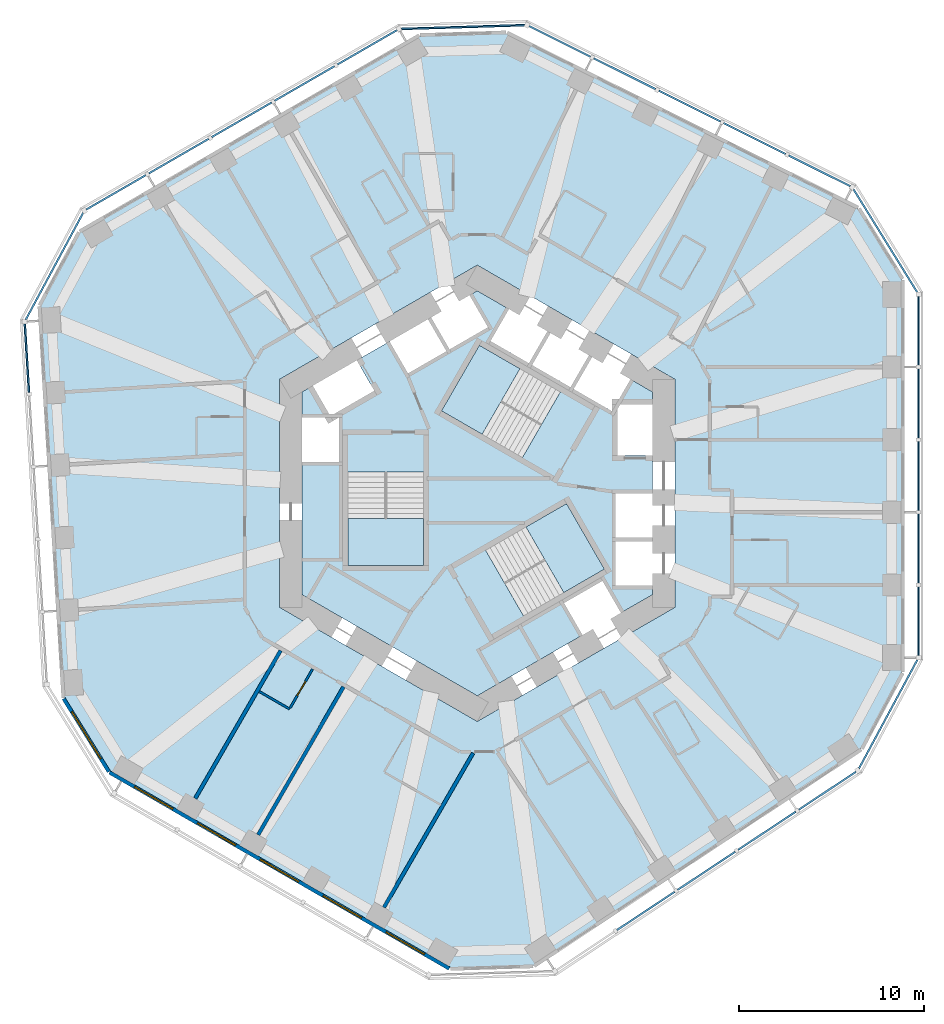
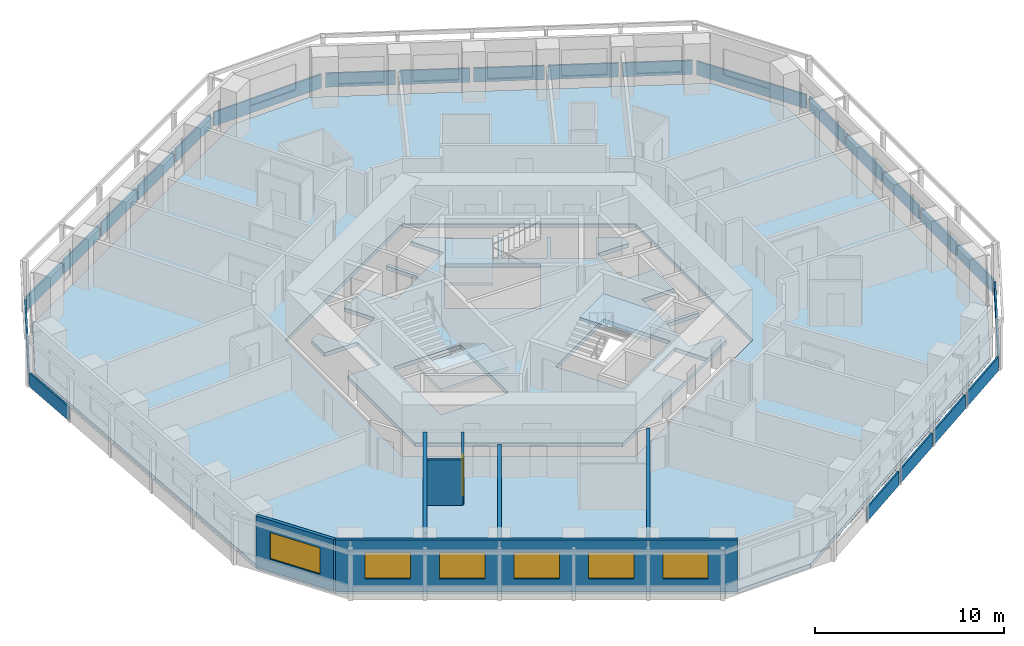
# One storey, part 3 of 12: 24 plates, 7 walls, 6 windows, 5 slabs, 1 door, 7 openings, 12 elements without a shape of their own.
"""IFC4 building model written with IfcOpenShell, lengths in metres."""

from ifc_helpers import new_model, si_unit, direction, frame, frame_2d, origin, origin_2d, place, context, subcontext, project, spatial, polyline, rectangle, outline, extrude, material, layer, layer_set, type_object, element, fill, aggregate, save


model = new_model("IFC4")

# Units and contexts
model_context = context("Model", 3, precision=1e-05, world=origin(), true_north=direction((0.0, 1.0)))
body_context = subcontext(model_context, "Body", "Model", "MODEL_VIEW")
ifc_project = project(units=[si_unit("LENGTHUNIT", "METRE"), si_unit("AREAUNIT", "SQUARE_METRE"), si_unit("VOLUMEUNIT", "CUBIC_METRE"), si_unit("PLANEANGLEUNIT", "RADIAN"), si_unit("MASSUNIT", "GRAM", prefix="KILO")], contexts=[model_context])

# Site, building, storey
site_placement = place(None, origin())
site = spatial("IfcSite", under=ifc_project, at=site_placement, CompositionType="ELEMENT")
building_placement = place(site_placement, origin())
building = spatial("IfcBuilding", under=site, at=building_placement, Name="Vanh Sen Convention Tower", CompositionType="ELEMENT")
storey_placement = place(building_placement, frame((0.0, 0.0, 73.699951171875)))
storey = spatial("IfcBuildingStorey", under=building, at=storey_placement, Name="L16", CompositionType="ELEMENT", Elevation=73.699951171875)

# Slabs
ifc_material_1 = material(Name="Concrete C40/50", Category="concrete")
ifc_layer_1 = layer(ifc_material_1, 0.25)
ifc_layer_set_1 = layer_set([ifc_layer_1], Name="Concrete C40/50")
slab_type_1 = type_object("IfcSlabType", Name="Core slab 250", PredefinedType="FLOOR", material=ifc_layer_set_1)
slab_1_placement = place(storey_placement, frame((0.0, 0.0, -0.25)))
element("IfcSlab", 1, at=slab_1_placement, inside=storey, type_object=slab_type_1, Name="Core slab L16", PredefinedType="FLOOR", context=body_context, shape_type="SweptSolid", body=[
    extrude(outline(polyline([(9.5, 5.48486328125), (9.5, 4.800048828125), (7.60009765625, 4.800048828125), (7.60009765625, 2.050048828125), (9.5, 2.050048828125), (9.5, 0.0), (7.5, 0.0), (7.5, -2.39990234375), (9.5, -2.39990234375), (9.5, -2.60009765625), (7.5, -2.60009765625), (7.5, -5.0), (9.5, -5.0), (9.5, -5.48486328125), (0.0, -10.9697265625), (-9.5, -5.48486328125), (-9.5, 1.699951171875), (-7.5, 1.699951171875), (-7.5, 4.10009765625), (-9.5, 4.10009765625), (-9.5, 5.48486328125), (-8.906982421875, 5.8271484375), (-7.956787109375, 4.181884765625), (-5.575439453125, 5.556884765625), (-6.525390625, 7.2021484375), (-4.75, 8.227294921875), (-3.75, 6.4951171875), (-1.67138671875, 7.6953125), (-2.67138671875, 9.42724609375), (-2.498291015625, 9.527099609375), (-1.498291015625, 7.795166015625), (0.580078125, 8.9951171875), (-0.419921875, 10.727294921875), (0.0, 10.9697265625), (1.718994140625, 9.977294921875), (0.718994140625, 8.2451171875), (2.79736328125, 7.045166015625), (3.79736328125, 8.777099609375), (3.970703125, 8.67724609375), (2.970703125, 6.9453125), (5.049072265625, 5.7451171875), (6.049072265625, 7.477294921875), (6.22216796875, 7.377197265625), (5.22216796875, 5.645263671875), (7.30078125, 4.4453125), (8.30078125, 6.17724609375), (9.5, 5.48486328125)]), holes=[polyline([(-7.0, 3.14990234375), (-7.0, -3.909912109375), (-2.89990234375, -3.909912109375), (-2.89990234375, 3.14990234375), (-2.89990234375, 1.1494140625), (-7.0, 1.1494140625), (-7.0, 3.14990234375)]), polyline([(4.495361328125, 5.487548828125), (6.22802734375, 4.4873046875), (0.11376953125, 8.01708984375), (-1.936279296875, 4.466552734375), (2.4453125, 1.936767578125), (4.495361328125, 5.487548828125)]), polyline([(7.781005859375, -6.477294921875), (6.781005859375, -4.7451171875), (4.70263671875, -5.9453125), (5.70263671875, -7.67724609375), (7.781005859375, -6.477294921875)]), polyline([(0.45458984375, -3.086181640625), (2.504638671875, -6.63671875), (6.88623046875, -4.107177734375), (4.836181640625, -0.556396484375), (-1.278076171875, -4.08642578125), (0.45458984375, -3.086181640625)])]), origin(), (0.0, 0.0, 1.0), 0.25),
])
ifc_layer_2 = layer(ifc_material_1, 0.25)
ifc_layer_set_2 = layer_set([ifc_layer_2], Name="Concrete C40/50")
slab_type_2 = type_object("IfcSlabType", Name="Floor slab 250 REI 120", PredefinedType="FLOOR", material=ifc_layer_set_2)
slab_2_placement = place(storey_placement, frame((0.0, 0.0, -0.25)))
element("IfcSlab", 2, at=slab_2_placement, inside=storey, type_object=slab_type_2, Name="Floor slab L16 tower", PredefinedType="FLOOR", context=body_context, shape_type="SweptSolid", body=[
    extrude(outline(polyline([(23.0, -9.69921875), (23.0, 11.57373046875), (20.620361328125, 15.419189453125), (1.58251953125, 24.911376953125), (-3.10009765625, 24.768310546875), (-21.523193359375, 14.131591796875), (-23.663818359375, 10.14794921875), (-22.364990234375, -11.085205078125), (-19.89990234375, -15.069091796875), (-1.476806640625, -25.705322265625), (3.04345703125, -25.5673828125), (20.78271484375, -13.825927734375), (23.0, -9.69921875)]), holes=[polyline([(0.0, 12.355224609375), (-10.699951171875, 6.177490234375), (-10.699951171875, -6.177490234375), (0.0, -12.355224609375), (10.699951171875, -6.177490234375), (10.699951171875, 6.177490234375), (0.0, 12.355224609375)])]), origin(), (0.0, 0.0, 1.0), 0.25),
])

# Curtain wall, plates
ifc_material_2 = material(Name="Concrete C50/60", Category="concrete")
curtain_wall_type = type_object("IfcCurtainWallType", Name="Outer skin hotel zone", PredefinedType="NOTDEFINED", material=ifc_material_2)
curtain_wall_1_placement = place(storey_placement, origin())
curtain_wall_1 = element("IfcCurtainWall", 3, at=curtain_wall_1_placement, inside=storey, type_object=curtain_wall_type, Name="OUTER SKIN E L16", PredefinedType="NOTDEFINED")
ifc_layer_3 = layer(ifc_material_2, 0.10009765625)
ifc_layer_set_3 = layer_set([ifc_layer_3], Name="Concrete C50/60")
plate_type = type_object("IfcPlateType", Name="Outer skin precast screen panel 100", PredefinedType="CURTAIN_PANEL", material=ifc_layer_set_3)
plate_1_placement = place(storey_placement, frame((23.89990234375, -6.91943359375, 0.0), z_axis=(0.0, 0.0, 1.0), x_axis=(0.0, 1.0, 0.0)))
plate_1 = element("IfcPlate", 4, at=plate_1_placement, type_object=plate_type, Name="OUTER SKIN screen panel E-1", PredefinedType="CURTAIN_PANEL", context=body_context, shape_type="SweptSolid", body=[
    extrude(rectangle(XDim=3.709716796875, YDim=0.10009765625, at=origin_2d()), origin(), (0.0, 0.0, 1.0), 0.89990234375),
])
plate_2_placement = place(storey_placement, frame((23.89990234375, -2.997314453125, 0.0), z_axis=(0.0, 0.0, 1.0), x_axis=(0.0, 1.0, 0.0)))
plate_2 = element("IfcPlate", 5, at=plate_2_placement, type_object=plate_type, Name="OUTER SKIN screen panel E-2", PredefinedType="CURTAIN_PANEL", context=body_context, shape_type="SweptSolid", body=[
    extrude(rectangle(XDim=3.734619140625, YDim=0.10009765625, at=origin_2d()), origin(), (0.0, 0.0, 1.0), 0.89990234375),
])
plate_3_placement = place(storey_placement, frame((23.89990234375, 0.937255859375, 0.0), z_axis=(0.0, 0.0, 1.0), x_axis=(0.0, 1.0, 0.0)))
plate_3 = element("IfcPlate", 6, at=plate_3_placement, type_object=plate_type, Name="OUTER SKIN screen panel E-3", PredefinedType="CURTAIN_PANEL", context=body_context, shape_type="SweptSolid", body=[
    extrude(rectangle(XDim=3.734619140625, YDim=0.10009765625, at=origin_2d()), origin(), (0.0, 0.0, 1.0), 0.89990234375),
])
plate_4_placement = place(storey_placement, frame((23.89990234375, 4.871826171875, 0.0), z_axis=(0.0, 0.0, 1.0), x_axis=(0.0, 1.0, 0.0)))
plate_4 = element("IfcPlate", 7, at=plate_4_placement, type_object=plate_type, Name="OUTER SKIN screen panel E-4", PredefinedType="CURTAIN_PANEL", context=body_context, shape_type="SweptSolid", body=[
    extrude(rectangle(XDim=3.734619140625, YDim=0.10009765625, at=origin_2d()), origin(), (0.0, 0.0, 1.0), 0.89990234375),
])
plate_5_placement = place(storey_placement, frame((23.89990234375, 8.7939453125, 0.0), z_axis=(0.0, 0.0, 1.0), x_axis=(0.0, 1.0, 0.0)))
plate_5 = element("IfcPlate", 8, at=plate_5_placement, type_object=plate_type, Name="OUTER SKIN screen panel E-5", PredefinedType="CURTAIN_PANEL", context=body_context, shape_type="SweptSolid", body=[
    extrude(rectangle(XDim=3.709716796875, YDim=0.10009765625, at=origin_2d()), origin(), (0.0, 0.0, 1.0), 0.89990234375),
])
aggregate(curtain_wall_1, [plate_1, plate_2, plate_3, plate_4, plate_5])

# Curtain wall, plate
curtain_wall_2_placement = place(storey_placement, origin())
curtain_wall_2 = element("IfcCurtainWall", 9, at=curtain_wall_2_placement, inside=storey, type_object=curtain_wall_type, Name="OUTER SKIN CH1 L16", PredefinedType="NOTDEFINED")
plate_6_placement = place(storey_placement, frame((22.102783203125, 13.677734375, 0.0), z_axis=(0.0, 0.0, 1.0), x_axis=(-0.526212439506, 0.850353143411, 0.0)))
plate_6 = element("IfcPlate", 10, at=plate_6_placement, type_object=plate_type, Name="OUTER SKIN screen panel CH1-1", PredefinedType="CURTAIN_PANEL", context=body_context, shape_type="SweptSolid", body=[
    extrude(rectangle(XDim=6.580078125, YDim=0.10009765625, at=origin_2d()), origin(), (0.0, 0.0, 1.0), 0.89990234375),
])
aggregate(curtain_wall_2, [plate_6])

# Curtain wall, plates
curtain_wall_3_placement = place(storey_placement, origin())
curtain_wall_3 = element("IfcCurtainWall", 11, at=curtain_wall_3_placement, inside=storey, type_object=curtain_wall_type, Name="OUTER SKIN NE L16", PredefinedType="NOTDEFINED")
plate_7_placement = place(storey_placement, frame((18.5341796875, 17.465087890625, 0.0), z_axis=(0.0, 0.0, 1.0), x_axis=(-0.894935140363, 0.446196251154, 0.0)))
plate_7 = element("IfcPlate", 12, at=plate_7_placement, type_object=plate_type, Name="OUTER SKIN screen panel NE-1", PredefinedType="CURTAIN_PANEL", context=body_context, shape_type="SweptSolid", body=[
    extrude(rectangle(XDim=3.709716796875, YDim=0.10009765625, at=origin_2d()), origin(), (0.0, 0.0, 1.0), 0.89990234375),
])
plate_8_placement = place(storey_placement, frame((15.024169921875, 19.215087890625, 0.0), z_axis=(0.0, 0.0, 1.0), x_axis=(-0.894935140363, 0.446196251154, 0.0)))
plate_8 = element("IfcPlate", 13, at=plate_8_placement, type_object=plate_type, Name="OUTER SKIN screen panel NE-2", PredefinedType="CURTAIN_PANEL", context=body_context, shape_type="SweptSolid", body=[
    extrude(rectangle(XDim=3.734619140625, YDim=0.10009765625, at=origin_2d()), origin(), (0.0, 0.0, 1.0), 0.89990234375),
])
plate_9_placement = place(storey_placement, frame((11.5029296875, 20.970703125, 0.0), z_axis=(0.0, 0.0, 1.0), x_axis=(-0.894935140363, 0.446196251154, 0.0)))
plate_9 = element("IfcPlate", 14, at=plate_9_placement, type_object=plate_type, Name="OUTER SKIN screen panel NE-3", PredefinedType="CURTAIN_PANEL", context=body_context, shape_type="SweptSolid", body=[
    extrude(rectangle(XDim=3.734619140625, YDim=0.10009765625, at=origin_2d()), origin(), (0.0, 0.0, 1.0), 0.89990234375),
])
plate_10_placement = place(storey_placement, frame((7.981689453125, 22.726318359375, 0.0), z_axis=(0.0, 0.0, 1.0), x_axis=(-0.894935140363, 0.446196251154, 0.0)))
plate_10 = element("IfcPlate", 15, at=plate_10_placement, type_object=plate_type, Name="OUTER SKIN screen panel NE-4", PredefinedType="CURTAIN_PANEL", context=body_context, shape_type="SweptSolid", body=[
    extrude(rectangle(XDim=3.734619140625, YDim=0.10009765625, at=origin_2d()), origin(), (0.0, 0.0, 1.0), 0.89990234375),
])
plate_11_placement = place(storey_placement, frame((4.4716796875, 24.476318359375, 0.0), z_axis=(0.0, 0.0, 1.0), x_axis=(-0.894935140363, 0.446196251154, 0.0)))
plate_11 = element("IfcPlate", 16, at=plate_11_placement, type_object=plate_type, Name="OUTER SKIN screen panel NE-5", PredefinedType="CURTAIN_PANEL", context=body_context, shape_type="SweptSolid", body=[
    extrude(rectangle(XDim=3.709716796875, YDim=0.10009765625, at=origin_2d()), origin(), (0.0, 0.0, 1.0), 0.89990234375),
])
aggregate(curtain_wall_3, [plate_7, plate_8, plate_9, plate_10, plate_11])

# Curtain wall, plate
curtain_wall_4_placement = place(storey_placement, origin())
curtain_wall_4 = element("IfcCurtainWall", 17, at=curtain_wall_4_placement, inside=storey, type_object=curtain_wall_type, Name="OUTER SKIN CH2 L16", PredefinedType="NOTDEFINED")
plate_12_placement = place(storey_placement, frame((-0.771484375, 25.253662109375, 0.0), z_axis=(0.0, 0.0, 1.0), x_axis=(-0.999533644135, -0.030536768695, 0.0)))
plate_12 = element("IfcPlate", 18, at=plate_12_placement, type_object=plate_type, Name="OUTER SKIN screen panel CH2-1", PredefinedType="CURTAIN_PANEL", context=body_context, shape_type="SweptSolid", body=[
    extrude(rectangle(XDim=6.696044921875, YDim=0.10009765625, at=origin_2d()), origin(), (0.0, 0.0, 1.0), 0.89990234375),
])
aggregate(curtain_wall_4, [plate_12])

# Curtain wall, plates
curtain_wall_5_placement = place(storey_placement, origin())
curtain_wall_5 = element("IfcCurtainWall", 19, at=curtain_wall_5_placement, inside=storey, type_object=curtain_wall_type, Name="OUTER SKIN NW L16", PredefinedType="NOTDEFINED")
plate_13_placement = place(storey_placement, frame((-5.95751953125, 24.15771484375, 0.0), z_axis=(0.0, 0.0, 1.0), x_axis=(-0.866028021766, -0.499995465495, 0.0)))
plate_13 = element("IfcPlate", 20, at=plate_13_placement, type_object=plate_type, Name="OUTER SKIN screen panel NW-1", PredefinedType="CURTAIN_PANEL", context=body_context, shape_type="SweptSolid", body=[
    extrude(rectangle(XDim=3.709716796875, YDim=0.10009765625, at=origin_2d()), origin(), (0.0, 0.0, 1.0), 0.89990234375),
])
plate_14_placement = place(storey_placement, frame((-9.354248046875, 22.19677734375, 0.0), z_axis=(0.0, 0.0, 1.0), x_axis=(-0.866021040428, -0.500007557478, 0.0)))
plate_14 = element("IfcPlate", 21, at=plate_14_placement, type_object=plate_type, Name="OUTER SKIN screen panel NW-2", PredefinedType="CURTAIN_PANEL", context=body_context, shape_type="SweptSolid", body=[
    extrude(rectangle(XDim=3.734619140625, YDim=0.10009765625, at=origin_2d()), origin(), (0.0, 0.0, 1.0), 0.89990234375),
])
plate_15_placement = place(storey_placement, frame((-12.76171875, 20.2294921875, 0.0), z_axis=(0.0, 0.0, 1.0), x_axis=(-0.866028021766, -0.499995465495, 0.0)))
plate_15 = element("IfcPlate", 22, at=plate_15_placement, type_object=plate_type, Name="OUTER SKIN screen panel NW-3", PredefinedType="CURTAIN_PANEL", context=body_context, shape_type="SweptSolid", body=[
    extrude(rectangle(XDim=3.734619140625, YDim=0.10009765625, at=origin_2d()), origin(), (0.0, 0.0, 1.0), 0.89990234375),
])
plate_16_placement = place(storey_placement, frame((-16.169189453125, 18.26220703125, 0.0), z_axis=(0.0, 0.0, 1.0), x_axis=(-0.866028021766, -0.499995465495, 0.0)))
plate_16 = element("IfcPlate", 23, at=plate_16_placement, type_object=plate_type, Name="OUTER SKIN screen panel NW-4", PredefinedType="CURTAIN_PANEL", context=body_context, shape_type="SweptSolid", body=[
    extrude(rectangle(XDim=3.734619140625, YDim=0.10009765625, at=origin_2d()), origin(), (0.0, 0.0, 1.0), 0.89990234375),
])
plate_17_placement = place(storey_placement, frame((-19.56591796875, 16.301025390625, 0.0), z_axis=(0.0, 0.0, 1.0), x_axis=(-0.866021040428, -0.500007557478, 0.0)))
plate_17 = element("IfcPlate", 24, at=plate_17_placement, type_object=plate_type, Name="OUTER SKIN screen panel NW-5", PredefinedType="CURTAIN_PANEL", context=body_context, shape_type="SweptSolid", body=[
    extrude(rectangle(XDim=3.70947265625, YDim=0.10009765625, at=origin_2d()), origin(), (0.0, 0.0, 1.0), 0.89990234375),
])
aggregate(curtain_wall_5, [plate_13, plate_14, plate_15, plate_16, plate_17])

# Curtain wall, plate
curtain_wall_6_placement = place(storey_placement, origin())
curtain_wall_6 = element("IfcCurtainWall", 25, at=curtain_wall_6_placement, inside=storey, type_object=curtain_wall_type, Name="OUTER SKIN CH3 L16", PredefinedType="NOTDEFINED")
plate_18_placement = place(storey_placement, frame((-22.896728515625, 12.302978515625, 0.0), z_axis=(0.0, 0.0, 1.0), x_axis=(-0.47331812974, -0.880891564303, 0.0)))
plate_18 = element("IfcPlate", 26, at=plate_18_placement, type_object=plate_type, Name="OUTER SKIN screen panel CH3-1", PredefinedType="CURTAIN_PANEL", context=body_context, shape_type="SweptSolid", body=[
    extrude(rectangle(XDim=6.580078125, YDim=0.10009765625, at=origin_2d()), origin(), (0.0, 0.0, 1.0), 0.89990234375),
])
aggregate(curtain_wall_6, [plate_18])

curtain_wall_7_placement = place(storey_placement, origin())
curtain_wall_7 = element("IfcCurtainWall", 27, at=curtain_wall_7_placement, inside=storey, type_object=curtain_wall_type, Name="OUTER SKIN W L16", PredefinedType="NOTDEFINED")
plate_19_placement = place(storey_placement, frame((-24.39208984375, 7.318603515625, 0.0), z_axis=(0.0, 0.0, 1.0), x_axis=(0.061046797461, -0.99813490497, 0.0)))
plate_19 = element("IfcPlate", 28, at=plate_19_placement, type_object=plate_type, Name="OUTER SKIN screen panel W-1", PredefinedType="CURTAIN_PANEL", context=body_context, shape_type="SweptSolid", body=[
    extrude(rectangle(XDim=3.709716796875, YDim=0.10009765625, at=origin_2d()), origin(), (0.0, 0.0, 1.0), 0.89990234375),
])
aggregate(curtain_wall_7, [plate_19])

# Curtain wall, plates
curtain_wall_8_placement = place(storey_placement, origin())
curtain_wall_8 = element("IfcCurtainWall", 29, at=curtain_wall_8_placement, inside=storey, type_object=curtain_wall_type, Name="OUTER SKIN SE L16", PredefinedType="NOTDEFINED")
plate_20_placement = place(storey_placement, frame((9.128662109375, -22.618896484375, 0.0), z_axis=(0.0, 0.0, 1.0), x_axis=(0.833891601892, 0.55192825285, 0.0)))
plate_20 = element("IfcPlate", 30, at=plate_20_placement, type_object=plate_type, Name="OUTER SKIN screen panel SE-2", PredefinedType="CURTAIN_PANEL", context=body_context, shape_type="SweptSolid", body=[
    extrude(rectangle(XDim=3.734619140625, YDim=0.10009765625, at=origin_2d()), origin(), (0.0, 0.0, 1.0), 0.89990234375),
])
plate_21_placement = place(storey_placement, frame((12.40966796875, -20.447265625, 0.0), z_axis=(0.0, 0.0, 1.0), x_axis=(0.833880042151, 0.551945717714, 0.0)))
plate_21 = element("IfcPlate", 31, at=plate_21_placement, type_object=plate_type, Name="OUTER SKIN screen panel SE-3", PredefinedType="CURTAIN_PANEL", context=body_context, shape_type="SweptSolid", body=[
    extrude(rectangle(XDim=3.734619140625, YDim=0.10009765625, at=origin_2d()), origin(), (0.0, 0.0, 1.0), 0.89990234375),
])
plate_22_placement = place(storey_placement, frame((15.690673828125, -18.275390625, 0.0), z_axis=(0.0, 0.0, 1.0), x_axis=(0.833891601892, 0.55192825285, 0.0)))
plate_22 = element("IfcPlate", 32, at=plate_22_placement, type_object=plate_type, Name="OUTER SKIN screen panel SE-4", PredefinedType="CURTAIN_PANEL", context=body_context, shape_type="SweptSolid", body=[
    extrude(rectangle(XDim=3.734619140625, YDim=0.10009765625, at=origin_2d()), origin(), (0.0, 0.0, 1.0), 0.89990234375),
])
plate_23_placement = place(storey_placement, frame((18.961181640625, -16.11083984375, 0.0), z_axis=(0.0, 0.0, 1.0), x_axis=(0.833880042151, 0.551945717714, 0.0)))
plate_23 = element("IfcPlate", 33, at=plate_23_placement, type_object=plate_type, Name="OUTER SKIN screen panel SE-5", PredefinedType="CURTAIN_PANEL", context=body_context, shape_type="SweptSolid", body=[
    extrude(rectangle(XDim=3.709716796875, YDim=0.10009765625, at=origin_2d()), origin(), (0.0, 0.0, 1.0), 0.89990234375),
])
aggregate(curtain_wall_8, [plate_20, plate_21, plate_22, plate_23])

# Curtain wall, plate
curtain_wall_9_placement = place(storey_placement, origin())
curtain_wall_9 = element("IfcCurtainWall", 34, at=curtain_wall_9_placement, inside=storey, type_object=curtain_wall_type, Name="OUTER SKIN CH6 L16", PredefinedType="NOTDEFINED")
plate_24_placement = place(storey_placement, frame((22.256103515625, -11.95849609375, 0.0), z_axis=(0.0, 0.0, 1.0), x_axis=(0.473322742071, 0.880889086003, 0.0)))
plate_24 = element("IfcPlate", 35, at=plate_24_placement, type_object=plate_type, Name="OUTER SKIN screen panel CH6-1", PredefinedType="CURTAIN_PANEL", context=body_context, shape_type="SweptSolid", body=[
    extrude(rectangle(XDim=6.6962890625, YDim=0.10009765625, at=origin_2d()), origin(), (0.0, 0.0, 1.0), 0.89990234375),
])
aggregate(curtain_wall_9, [plate_24])

# Stair, slab
ifc_material_3 = material(Name="Concrete C50/60", Category="concrete")
stair_type_1 = type_object("IfcStairType", Name="Exit stair ST1 20 risers at 165.0", PredefinedType="HALF_TURN_STAIR", material=ifc_material_3)
stair_1_placement = place(storey_placement, origin())
stair_1 = element("IfcStair", 36, at=stair_1_placement, inside=storey, type_object=stair_type_1, Name="Exit stair ST1 L16", PredefinedType="HALF_TURN_STAIR")
ifc_layer_4 = layer(ifc_material_1, 0.199951171875)
ifc_layer_set_4 = layer_set([ifc_layer_4], Name="Concrete C40/50")
slab_type_3 = type_object("IfcSlabType", Name="Stair landing 200", PredefinedType="LANDING", material=ifc_layer_set_4)
slab_3_placement = place(storey_placement, frame((0.0, 0.0, 1.449951171875)))
slab_3 = element("IfcSlab", 37, at=slab_3_placement, type_object=slab_type_3, Name="ST1 landing 1", PredefinedType="LANDING", context=body_context, shape_type="SweptSolid", body=[
    extrude(outline(polyline([(2.314208984375, 6.746826171875), (0.11376953125, 8.01708984375), (-1.936279296875, 4.466552734375), (0.26416015625, 3.196044921875), (2.314208984375, 6.746826171875)])), origin(), (0.0, 0.0, 1.0), 0.2001953125),
])
aggregate(stair_1, [slab_3])

stair_type_2 = type_object("IfcStairType", Name="Exit stair ST2 20 risers at 165.0", PredefinedType="HALF_TURN_STAIR", material=ifc_material_3)
stair_2_placement = place(storey_placement, origin())
stair_2 = element("IfcStair", 38, at=stair_2_placement, inside=storey, type_object=stair_type_2, Name="Exit stair ST2 L16", PredefinedType="HALF_TURN_STAIR")
slab_4_placement = place(storey_placement, frame((0.0, 0.0, 1.449951171875)))
slab_4 = element("IfcSlab", 39, at=slab_4_placement, type_object=slab_type_3, Name="ST2 landing 1", PredefinedType="LANDING", context=body_context, shape_type="SweptSolid", body=[
    extrude(outline(polyline([(-7.0, -1.369384765625), (-7.0, -3.909912109375), (-2.89990234375, -3.909912109375), (-2.89990234375, -1.369384765625), (-7.0, -1.369384765625)])), origin(), (0.0, 0.0, 1.0), 0.2001953125),
])
aggregate(stair_2, [slab_4])

stair_type_3 = type_object("IfcStairType", Name="Exit stair ST3 20 risers at 165.0", PredefinedType="HALF_TURN_STAIR", material=ifc_material_3)
stair_3_placement = place(storey_placement, origin())
stair_3 = element("IfcStair", 40, at=stair_3_placement, inside=storey, type_object=stair_type_3, Name="Exit stair ST3 L16", PredefinedType="HALF_TURN_STAIR")
slab_5_placement = place(storey_placement, frame((0.0, 0.0, 1.449951171875)))
slab_5 = element("IfcSlab", 41, at=slab_5_placement, type_object=slab_type_3, Name="ST3 landing 1", PredefinedType="LANDING", context=body_context, shape_type="SweptSolid", body=[
    extrude(outline(polyline([(4.685791015625, -5.37744140625), (6.88623046875, -4.107177734375), (4.836181640625, -0.556396484375), (2.6357421875, -1.826904296875), (4.685791015625, -5.37744140625)])), origin(), (0.0, 0.0, 1.0), 0.2001953125),
])
aggregate(stair_3, [slab_5])

# Wall
ifc_material_4 = material(Name="Moisture-resistant gypsum board on steel studs", Category="steel")
ifc_layer_5 = layer(ifc_material_4, 0.1201171875)
ifc_layer_set_5 = layer_set([ifc_layer_5], Name="Moisture-resistant gypsum board on steel studs")
wall_type_1 = type_object("IfcWallType", Name="Bathroom partition 120", PredefinedType="PARTITIONING", material=ifc_layer_set_5)
wall_1_placement = place(storey_placement, frame((-10.16748046875, -11.68115234375, 0.0), z_axis=(0.0, 0.0, 1.0), x_axis=(-0.866044365799, 0.499967155389, 0.0)))
element("IfcWall", 42, at=wall_1_placement, inside=storey, type_object=wall_type_1, Name="Bathroom partition 120", PredefinedType="PARTITIONING", context=body_context, shape_type="SweptSolid", body=[
    extrude(rectangle(XDim=1.900146484375, YDim=0.1201171875, at=frame_2d((0.9501953125, 0.0))), origin(), (0.0, 0.0, 1.0), 2.949951171875),
])

# Wall, opening, door
wall_2_placement = place(storey_placement, frame((-8.91748046875, -9.51611328125, 0.0), z_axis=(0.0, 0.0, 1.0), x_axis=(-0.500002508028, -0.866023955769, 0.0)))
wall_2 = element("IfcWall", 43, at=wall_2_placement, inside=storey, type_object=wall_type_1, Name="Bathroom partition 120", PredefinedType="PARTITIONING", context=body_context, shape_type="SweptSolid", body=[
    extrude(rectangle(XDim=2.43994140625, YDim=0.1201171875, at=frame_2d((1.219970703125, 0.0))), origin(), (0.0, 0.0, 1.0), 2.949951171875),
])
opening_1_placement = place(wall_2_placement, frame((0.77001953125, 0.0, 0.0)))
opening_1 = element("IfcOpeningElement", 44, at=opening_1_placement, cuts=wall_2, Name="Opening D16126", PredefinedType="OPENING", context=body_context, shape_type="SweptSolid", body=[
    extrude(rectangle(XDim=0.89990234375, YDim=2.10009765625, at=frame_2d((0.449951171875, 1.050048828125))), frame((0.0, 0.070068359375, 0.0), z_axis=(0.0, -1.0, 0.0), x_axis=(1.0, 0.0, 0.0)), (0.0, 0.0, 1.0), 0.14013671875),
])
ifc_material_5 = material(Name="Laminate door in steel frame", Category="steel")
door_type = type_object("IfcDoorType", Name="En-suite door 900", OperationType="SINGLE_SWING_LEFT", PredefinedType="DOOR", material=ifc_material_5)
door_placement = place(opening_1_placement, origin())
door = element("IfcDoor", 45, at=door_placement, inside=storey, type_object=door_type, Name="En-suite door D16126", OperationType="SINGLE_SWING_LEFT", OverallHeight=2.10009765625, OverallWidth=0.89990234375, PredefinedType="DOOR", context=body_context, shape_type="SweptSolid", body=[
    extrude(rectangle(XDim=0.89990234375, YDim=2.10009765625, at=frame_2d((0.449951171875, 1.050048828125))), frame((0.0, 0.02490234375, 0.0), z_axis=(0.0, -1.0, 0.0), x_axis=(1.0, 0.0, 0.0)), (0.0, 0.0, 1.0), 0.050048828125),
])
fill(opening_1, door)

# Wall, opening, window
ifc_material_6 = material(Name="Insulated lightweight infill wall")
ifc_layer_6 = layer(ifc_material_6, 0.199951171875)
ifc_layer_set_6 = layer_set([ifc_layer_6], Name="Insulated lightweight infill wall")
wall_type_2 = type_object("IfcWallType", Name="External wall 200", PredefinedType="STANDARD", material=ifc_layer_set_6)
wall_3_placement = place(storey_placement, frame((-22.40087890625, -11.122314453125, 0.0), z_axis=(0.0, 0.0, 1.0), x_axis=(0.526197679914, -0.850362276711, 0.0)))
wall_3 = element("IfcWall", 46, at=wall_3_placement, inside=storey, type_object=wall_type_2, Name="External wall CH4 L16", PredefinedType="STANDARD", context=body_context, shape_type="SweptSolid", body=[
    extrude(rectangle(XDim=4.65966796875, YDim=0.199951171875, at=frame_2d((2.329833984375, 0.0))), origin(), (0.0, 0.0, 1.0), 3.300048828125),
])
opening_2_placement = place(wall_3_placement, frame((0.829833984375, 0.0, 0.800048828125)))
opening_2 = element("IfcOpeningElement", 47, at=opening_2_placement, cuts=wall_3, Name="Opening WH2-CH41", PredefinedType="OPENING", context=body_context, shape_type="SweptSolid", body=[
    extrude(rectangle(XDim=3.0, YDim=1.699951171875, at=frame_2d((1.5, 0.85009765625))), frame((0.0, 0.10986328125, 0.0), z_axis=(0.0, -1.0, 0.0), x_axis=(1.0, 0.0, 0.0)), (0.0, 0.0, 1.0), 0.219970703125),
])
ifc_material_7 = material(Name="Aluminium frame with clear low-emissivity glass", Category="aluminium")
window_type_1 = type_object("IfcWindowType", Name="Hotel window 3000 x 1700", PartitioningType="SINGLE_PANEL", PredefinedType="WINDOW", material=ifc_material_7)
window_1_placement = place(opening_2_placement, origin())
window_1 = element("IfcWindow", 48, at=window_1_placement, inside=storey, type_object=window_type_1, Name="Window WH2-CH41", OverallHeight=1.699951171875, OverallWidth=3.0, PartitioningType="SINGLE_PANEL", PredefinedType="WINDOW", context=body_context, shape_type="SweptSolid", body=[
    extrude(rectangle(XDim=3.0, YDim=1.699951171875, at=frame_2d((1.5, 0.85009765625))), frame((0.0, 0.030029296875, 0.0), z_axis=(0.0, -1.0, 0.0), x_axis=(1.0, 0.0, 0.0)), (0.0, 0.0, 1.0), 0.06005859375),
])
fill(opening_2, window_1)

# Wall, openings, windows
wall_4_placement = place(storey_placement, frame((-19.913818359375, -15.11865234375, 0.0), z_axis=(0.0, 0.0, 1.0), x_axis=(0.866025418898, -0.499999973822, 0.0)))
wall_4 = element("IfcWall", 49, at=wall_4_placement, inside=storey, type_object=wall_type_2, Name="External wall SW L16", PredefinedType="STANDARD", context=body_context, shape_type="SweptSolid", body=[
    extrude(rectangle(XDim=21.24609375, YDim=0.199951171875, at=frame_2d((10.623046875, 0.0))), origin(), (0.0, 0.0, 1.0), 3.300048828125),
])
opening_3_placement = place(wall_4_placement, frame((1.5546875, 0.0, 0.800048828125)))
opening_3 = element("IfcOpeningElement", 50, at=opening_3_placement, cuts=wall_4, Name="Opening WH1-SW1", PredefinedType="OPENING", context=body_context, shape_type="SweptSolid", body=[
    extrude(rectangle(XDim=2.39990234375, YDim=1.699951171875, at=frame_2d((1.199951171875, 0.85009765625))), frame((0.0, 0.10986328125, 0.0), z_axis=(0.0, -1.0, 0.0), x_axis=(1.0, 0.0, 0.0)), (0.0, 0.0, 1.0), 0.219970703125),
])
opening_4_placement = place(wall_4_placement, frame((5.4892578125, 0.0, 0.800048828125)))
opening_4 = element("IfcOpeningElement", 51, at=opening_4_placement, cuts=wall_4, Name="Opening WH1-SW2", PredefinedType="OPENING", context=body_context, shape_type="SweptSolid", body=[
    extrude(rectangle(XDim=2.39990234375, YDim=1.699951171875, at=frame_2d((1.199951171875, 0.85009765625))), frame((0.0, 0.10986328125, 0.0), z_axis=(0.0, -1.0, 0.0), x_axis=(1.0, 0.0, 0.0)), (0.0, 0.0, 1.0), 0.219970703125),
])
opening_5_placement = place(wall_4_placement, frame((9.423828125, 0.0, 0.800048828125)))
opening_5 = element("IfcOpeningElement", 52, at=opening_5_placement, cuts=wall_4, Name="Opening WH1-SW3", PredefinedType="OPENING", context=body_context, shape_type="SweptSolid", body=[
    extrude(rectangle(XDim=2.39990234375, YDim=1.699951171875, at=frame_2d((1.199951171875, 0.85009765625))), frame((0.0, 0.10986328125, 0.0), z_axis=(0.0, -1.0, 0.0), x_axis=(1.0, 0.0, 0.0)), (0.0, 0.0, 1.0), 0.219970703125),
])
opening_6_placement = place(wall_4_placement, frame((13.3583984375, 0.0, 0.800048828125)))
opening_6 = element("IfcOpeningElement", 53, at=opening_6_placement, cuts=wall_4, Name="Opening WH1-SW4", PredefinedType="OPENING", context=body_context, shape_type="SweptSolid", body=[
    extrude(rectangle(XDim=2.39990234375, YDim=1.699951171875, at=frame_2d((1.199951171875, 0.85009765625))), frame((0.0, 0.10986328125, 0.0), z_axis=(0.0, -1.0, 0.0), x_axis=(1.0, 0.0, 0.0)), (0.0, 0.0, 1.0), 0.219970703125),
])
opening_7_placement = place(wall_4_placement, frame((17.293212890625, 0.0, 0.800048828125)))
opening_7 = element("IfcOpeningElement", 54, at=opening_7_placement, cuts=wall_4, Name="Opening WH1-SW5", PredefinedType="OPENING", context=body_context, shape_type="SweptSolid", body=[
    extrude(rectangle(XDim=2.39990234375, YDim=1.699951171875, at=frame_2d((1.199951171875, 0.85009765625))), frame((0.0, 0.10986328125, 0.0), z_axis=(0.0, -1.0, 0.0), x_axis=(1.0, 0.0, 0.0)), (0.0, 0.0, 1.0), 0.219970703125),
])
window_type_2 = type_object("IfcWindowType", Name="Hotel window 2400 x 1700", PartitioningType="SINGLE_PANEL", PredefinedType="WINDOW", material=ifc_material_7)
window_2_placement = place(opening_3_placement, origin())
window_2 = element("IfcWindow", 55, at=window_2_placement, inside=storey, type_object=window_type_2, Name="Window WH1-SW1", OverallHeight=1.699951171875, OverallWidth=2.39990234375, PartitioningType="SINGLE_PANEL", PredefinedType="WINDOW", context=body_context, shape_type="SweptSolid", body=[
    extrude(rectangle(XDim=2.39990234375, YDim=1.699951171875, at=frame_2d((1.199951171875, 0.85009765625))), frame((0.0, 0.030029296875, 0.0), z_axis=(0.0, -1.0, 0.0), x_axis=(1.0, 0.0, 0.0)), (0.0, 0.0, 1.0), 0.06005859375),
])
fill(opening_3, window_2)
window_3_placement = place(opening_4_placement, origin())
window_3 = element("IfcWindow", 56, at=window_3_placement, inside=storey, type_object=window_type_2, Name="Window WH1-SW2", OverallHeight=1.699951171875, OverallWidth=2.39990234375, PartitioningType="SINGLE_PANEL", PredefinedType="WINDOW", context=body_context, shape_type="SweptSolid", body=[
    extrude(rectangle(XDim=2.39990234375, YDim=1.699951171875, at=frame_2d((1.199951171875, 0.85009765625))), frame((0.0, 0.030029296875, 0.0), z_axis=(0.0, -1.0, 0.0), x_axis=(1.0, 0.0, 0.0)), (0.0, 0.0, 1.0), 0.06005859375),
])
fill(opening_4, window_3)
window_4_placement = place(opening_5_placement, origin())
window_4 = element("IfcWindow", 57, at=window_4_placement, inside=storey, type_object=window_type_2, Name="Window WH1-SW3", OverallHeight=1.699951171875, OverallWidth=2.39990234375, PartitioningType="SINGLE_PANEL", PredefinedType="WINDOW", context=body_context, shape_type="SweptSolid", body=[
    extrude(rectangle(XDim=2.39990234375, YDim=1.699951171875, at=frame_2d((1.199951171875, 0.85009765625))), frame((0.0, 0.030029296875, 0.0), z_axis=(0.0, -1.0, 0.0), x_axis=(1.0, 0.0, 0.0)), (0.0, 0.0, 1.0), 0.06005859375),
])
fill(opening_5, window_4)
window_5_placement = place(opening_6_placement, origin())
window_5 = element("IfcWindow", 58, at=window_5_placement, inside=storey, type_object=window_type_2, Name="Window WH1-SW4", OverallHeight=1.699951171875, OverallWidth=2.39990234375, PartitioningType="SINGLE_PANEL", PredefinedType="WINDOW", context=body_context, shape_type="SweptSolid", body=[
    extrude(rectangle(XDim=2.39990234375, YDim=1.699951171875, at=frame_2d((1.199951171875, 0.85009765625))), frame((0.0, 0.030029296875, 0.0), z_axis=(0.0, -1.0, 0.0), x_axis=(1.0, 0.0, 0.0)), (0.0, 0.0, 1.0), 0.06005859375),
])
fill(opening_6, window_5)
window_6_placement = place(opening_7_placement, origin())
window_6 = element("IfcWindow", 59, at=window_6_placement, inside=storey, type_object=window_type_2, Name="Window WH1-SW5", OverallHeight=1.699951171875, OverallWidth=2.39990234375, PartitioningType="SINGLE_PANEL", PredefinedType="WINDOW", context=body_context, shape_type="SweptSolid", body=[
    extrude(rectangle(XDim=2.39990234375, YDim=1.699951171875, at=frame_2d((1.199951171875, 0.85009765625))), frame((0.0, 0.030029296875, 0.0), z_axis=(0.0, -1.0, 0.0), x_axis=(1.0, 0.0, 0.0)), (0.0, 0.0, 1.0), 0.06005859375),
])
fill(opening_7, window_6)

# Walls
ifc_material_8 = material(Name="Gypsum board on steel studs with mineral wool", Category="steel")
ifc_layer_7 = layer(ifc_material_8, 0.199951171875)
ifc_layer_set_7 = layer_set([ifc_layer_7], Name="Gypsum board on steel studs with mineral wool")
wall_type_3 = type_object("IfcWallType", Name="Hotel party wall 200", PredefinedType="PARTITIONING", material=ifc_layer_set_7)
wall_5_placement = place(storey_placement, frame((-15.2744140625, -16.527099609375, 0.0), z_axis=(0.0, 0.0, 1.0), x_axis=(0.49998823431, 0.866032196602, 0.0)))
element("IfcWall", 60, at=wall_5_placement, inside=storey, type_object=wall_type_3, Name="Hotel party wall 200", PredefinedType="PARTITIONING", context=body_context, shape_type="SweptSolid", body=[
    extrude(rectangle(XDim=9.250244140625, YDim=0.199951171875, at=frame_2d((4.625, 0.0))), origin(), (0.0, 0.0, 1.0), 2.949951171875),
])
wall_6_placement = place(storey_placement, frame((-11.8671875, -18.494140625, 0.0), z_axis=(0.0, 0.0, 1.0), x_axis=(0.499999662836, 0.866025598446, 0.0)))
element("IfcWall", 61, at=wall_6_placement, inside=storey, type_object=wall_type_3, Name="Hotel party wall 200", PredefinedType="PARTITIONING", context=body_context, shape_type="SweptSolid", body=[
    extrude(rectangle(XDim=9.25, YDim=0.199951171875, at=frame_2d((4.625, 0.0))), origin(), (0.0, 0.0, 1.0), 2.150146484375),
])
wall_7_placement = place(storey_placement, frame((-5.052001953125, -22.4287109375, 0.0), z_axis=(0.0, 0.0, 1.0), x_axis=(0.50000569793, 0.866022114058, 0.0)))
element("IfcWall", 62, at=wall_7_placement, inside=storey, type_object=wall_type_3, Name="Hotel party wall 200", PredefinedType="PARTITIONING", context=body_context, shape_type="SweptSolid", body=[
    extrude(rectangle(XDim=9.64990234375, YDim=0.199951171875, at=frame_2d((4.824951171875, 0.0))), origin(), (0.0, 0.0, 1.0), 2.949951171875),
])

save(model, "model.ifc")
